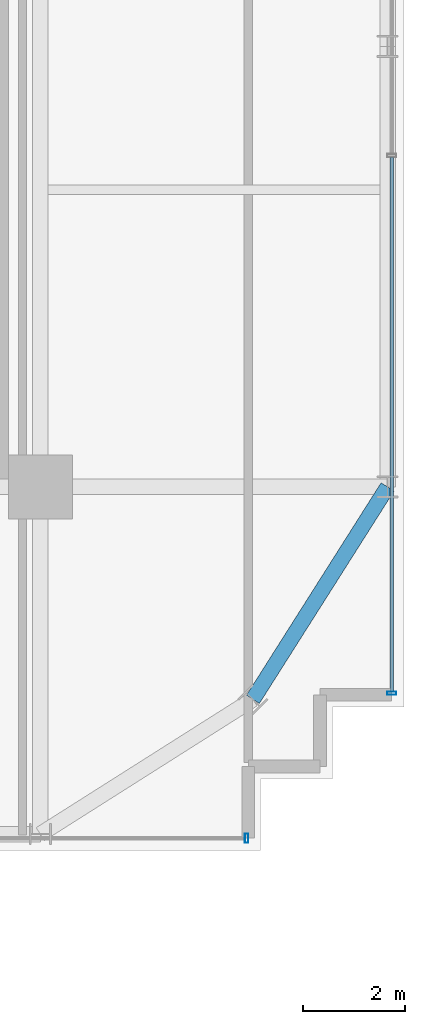
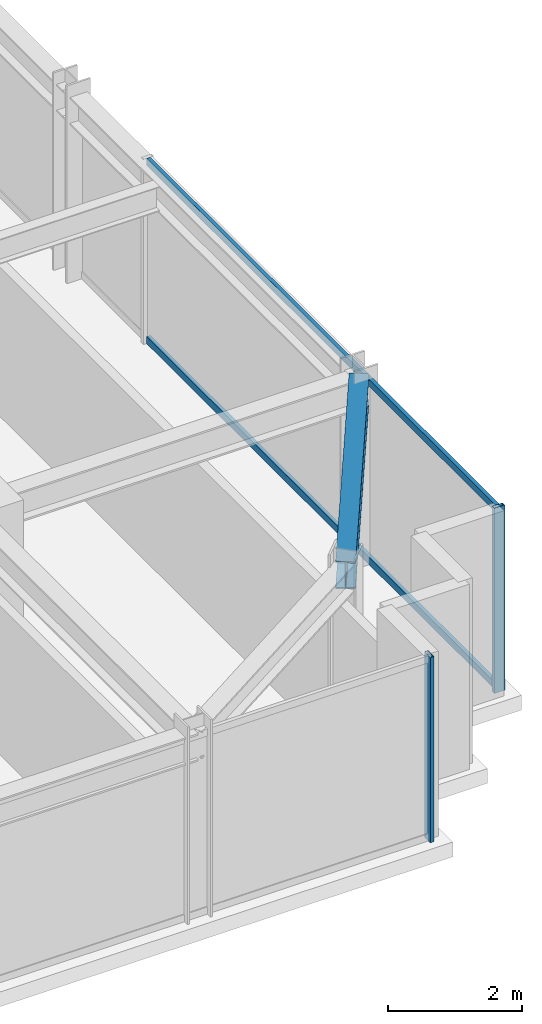
# One storey, part 13 of 32: 4 members, 1 beam, 2 elements without a shape of their own.
"""IFC4 building model written with IfcOpenShell, lengths in metres."""

import ifcopenshell
import ifcopenshell.guid

model = None  # the IFC model being written
_history = None  # IfcOwnerHistory: only IFC2X3 demands one
_inside = {}  # id of a spatial element -> (the spatial element, [elements in it])
_under = {}  # id of a project, library or spatial element -> (it, [spatial elements below it])
_declared = {}  # id of a project -> (the project, [libraries it declares])
_typed = {}  # id of a type object -> (the type object, [elements of that type])
_made_of = {}  # id of a material, layer set ... -> (it, [elements and type objects made of it])


def new_model(schema):
    """Start an empty IFC model of exactly this schema.

    Asked for "IFC4X3", IfcOpenShell would pick the latest addendum, in which some entities
    have other attributes; the version numbers below select the first issue.
    IFC2X3 requires an IfcOwnerHistory on every rooted entity: one is made here for all.
    """
    global model, _history
    if schema == "IFC4X3":
        model = ifcopenshell.file(schema_version=(4, 3, 0, 0))
    else:
        model = ifcopenshell.file(schema=schema)
    _inside.clear()
    _under.clear()
    _declared.clear()
    _typed.clear()
    _made_of.clear()
    _history = None
    if model.schema == "IFC2X3":
        org = make("IfcOrganization", Name="unknown")
        user = make(
            "IfcPersonAndOrganization",
            ThePerson=make("IfcPerson", FamilyName="unknown"),
            TheOrganization=org,
        )
        app = make(
            "IfcApplication",
            ApplicationDeveloper=org,
            Version="unknown",
            ApplicationFullName="unknown",
            ApplicationIdentifier="unknown",
        )
        _history = make(
            "IfcOwnerHistory",
            OwningUser=user,
            OwningApplication=app,
            ChangeAction="ADDED",
            CreationDate=0,
        )
    return model


def make(cls, **values):
    """One entity of the class cls with the attributes given. An attribute that is None is left unset."""
    return model.create_entity(
        cls, **{name: value for name, value in values.items() if value is not None}
    )


def rooted(cls, **values):
    """An entity with a GlobalId (a new one), such as an element, a storey or a relation."""
    return make(cls, GlobalId=ifcopenshell.guid.new(), OwnerHistory=_history, **values)


def si_unit(unit_type, name, prefix=None):
    """IfcSIUnit, for example si_unit("LENGTHUNIT", "METRE", prefix="MILLI")."""
    return make("IfcSIUnit", UnitType=unit_type, Prefix=prefix, Name=name)


def assignment(units):
    """IfcUnitAssignment: the units of a project."""
    return None if units is None else make("IfcUnitAssignment", Units=units)


def point(xyz):
    """IfcCartesianPoint."""
    return None if xyz is None else make("IfcCartesianPoint", Coordinates=xyz)


def direction(xyz):
    """IfcDirection."""
    return None if xyz is None else make("IfcDirection", DirectionRatios=xyz)


def frame(location, z_axis=None, x_axis=None):
    """IfcAxis2Placement3D, a coordinate frame: its origin and axes. An axis left out is left unset."""
    return make(
        "IfcAxis2Placement3D",
        Location=point(location),
        Axis=direction(z_axis),
        RefDirection=direction(x_axis),
    )


def frame_2d(location, x_axis=None):
    """IfcAxis2Placement2D, a coordinate frame in the plane: its origin and x axis."""
    return make(
        "IfcAxis2Placement2D", Location=point(location), RefDirection=direction(x_axis)
    )


def origin():
    """The frame at (0, 0, 0) with its axes left unset."""
    return frame((0.0, 0.0, 0.0))


def origin_2d():
    """The frame at (0, 0) in the plane with its x axis left unset."""
    return frame_2d((0.0, 0.0))


def place(relative_to, where):
    """IfcLocalPlacement: puts the frame where relative to a parent placement (None: the world)."""
    return make(
        "IfcLocalPlacement", PlacementRelTo=relative_to, RelativePlacement=where
    )


def context(
    kind, dimensions, precision=None, world=None, true_north=None, identifier=None
):
    """IfcGeometricRepresentationContext, for example the 3D "Model" context."""
    return make(
        "IfcGeometricRepresentationContext",
        ContextIdentifier=identifier,
        ContextType=kind,
        CoordinateSpaceDimension=dimensions,
        Precision=precision,
        WorldCoordinateSystem=world,
        TrueNorth=true_north,
    )


def subcontext(parent, identifier, kind, view, scale=None):
    """IfcGeometricRepresentationSubContext, for example "Body" below "Model"."""
    return make(
        "IfcGeometricRepresentationSubContext",
        ContextIdentifier=identifier,
        ContextType=kind,
        ParentContext=parent,
        TargetScale=scale,
        TargetView=view,
    )


def project(units=None, contexts=None):
    """IfcProject with its units and contexts."""
    return rooted(
        "IfcProject",
        Name="project",
        RepresentationContexts=contexts,
        UnitsInContext=assignment(units),
    )


def spatial(cls, under=None, at=None, **own):
    """A site, building, storey or space (cls), placed at a placement, below another one or the project."""
    s = rooted(cls, ObjectPlacement=at, **own)
    if under is not None:
        _under.setdefault(under.id(), (under, []))[1].append(s)
    return s


def profile(cls, at=None, kind="AREA", **sizes):
    """A parametric profile (cls). Its sizes go by their IFC names, for example OverallWidth=200.0."""
    return make(cls, ProfileType=kind, Position=at, **sizes)


def hollow_rectangle(**sizes):
    """IfcRectangleHollowProfileDef."""
    return profile("IfcRectangleHollowProfileDef", **sizes)


def i_section(**sizes):
    """IfcIShapeProfileDef."""
    return profile("IfcIShapeProfileDef", **sizes)


def extrude(swept, where, along, depth):
    """IfcExtrudedAreaSolid: the profile swept, set in the frame where, extruded along a direction by depth."""
    return make(
        "IfcExtrudedAreaSolid",
        SweptArea=swept,
        Position=where,
        ExtrudedDirection=direction(along),
        Depth=depth,
    )


def shape(context_of_items, identifier, shape_type, items):
    """IfcShapeRepresentation: the items that make up one representation, for example the "Body"."""
    return make(
        "IfcShapeRepresentation",
        ContextOfItems=context_of_items,
        RepresentationIdentifier=identifier,
        RepresentationType=shape_type,
        Items=items,
    )


def source(mapping_origin, context_of_items, identifier, shape_type, items):
    """IfcRepresentationMap: a shape defined once, which mapped items show again and again."""
    return make(
        "IfcRepresentationMap",
        MappingOrigin=mapping_origin,
        MappedRepresentation=shape(context_of_items, identifier, shape_type, items),
    )


def transform(
    local_origin,
    x_axis=None,
    y_axis=None,
    z_axis=None,
    scale=None,
    scale2=None,
    scale3=None,
    uniform=True,
):
    """IfcCartesianTransformationOperator3D, or its non-uniform kind. x_axis, y_axis, z_axis: its Axis1, 2, 3."""
    if uniform:
        return make(
            "IfcCartesianTransformationOperator3D",
            Axis1=direction(x_axis),
            Axis2=direction(y_axis),
            LocalOrigin=point(local_origin),
            Scale=scale,
            Axis3=direction(z_axis),
        )
    return make(
        "IfcCartesianTransformationOperator3DnonUniform",
        Axis1=direction(x_axis),
        Axis2=direction(y_axis),
        LocalOrigin=point(local_origin),
        Scale=scale,
        Axis3=direction(z_axis),
        Scale2=scale2,
        Scale3=scale3,
    )


def mapped(mapping_source, mapping_target):
    """IfcMappedItem: shows the shape of a source again, moved by a transform."""
    return make(
        "IfcMappedItem", MappingSource=mapping_source, MappingTarget=mapping_target
    )


def material(Name=None, Category=None):
    """IfcMaterial."""
    return make("IfcMaterial", Name=Name, Category=Category)


def material_profile(
    of_material, cross_section, Name=None, Category=None, Priority=None
):
    """IfcMaterialProfile: a cross section and its material."""
    return make(
        "IfcMaterialProfile",
        Name=Name,
        Material=of_material,
        Profile=cross_section,
        Priority=Priority,
        Category=Category,
    )


def profile_set(profiles, Name=None, composite=None):
    """IfcMaterialProfileSet."""
    return make(
        "IfcMaterialProfileSet",
        Name=Name,
        MaterialProfiles=profiles,
        CompositeProfile=composite,
    )


def made_of(thing, what):
    """Note that an element or type object is made of a material, layer set ...; save() writes the relation."""
    if what is not None:
        _made_of.setdefault(what.id(), (what, []))[1].append(thing)
    return thing


def type_object(cls, material=None, **own):
    """A type object (cls), such as IfcWallType, which elements share."""
    return made_of(rooted(cls, **own), material)


def element(
    cls,
    number,
    at=None,
    inside=None,
    cuts=None,
    type_object=None,
    material=None,
    context=None,
    identifier="Body",
    shape_type=None,
    held_by="IfcProductDefinitionShape",
    body=None,
    shapes=None,
    **own,
):
    """One element of the class cls, such as IfcWall. Its Tag is "e" and its number.

    at: its placement. inside: the storey or other place that contains it. cuts: it is an
    opening in that element (IfcRelVoidsElement). A single representation is given by context,
    identifier, shape_type and body (its items); several are given by shapes. held_by: the class
    of the entity that holds the representations. save() writes the other relations.
    """
    e = rooted(cls, Tag="e%d" % number, ObjectPlacement=at, **own)
    if body is not None:
        shapes = [shape(context, identifier, shape_type, body)]
    if shapes is not None:
        e.Representation = make(held_by, Representations=shapes)
    if inside is not None:
        _inside.setdefault(inside.id(), (inside, []))[1].append(e)
    if cuts is not None:
        rooted(
            "IfcRelVoidsElement", RelatingBuildingElement=cuts, RelatedOpeningElement=e
        )
    if type_object is not None:
        _typed.setdefault(type_object.id(), (type_object, []))[1].append(e)
    return made_of(e, material)


def aggregate(whole, parts):
    """IfcRelAggregates: a whole, such as a stair, and the parts it consists of."""
    return rooted("IfcRelAggregates", RelatingObject=whole, RelatedObjects=parts)


def save(model, path):
    """Write the relations noted so far, then the file.

    IfcRelAggregates (storeys below a building ...), IfcRelContainedInSpatialStructure (elements
    in a storey), IfcRelDefinesByType, IfcRelAssociatesMaterial and IfcRelDeclares: one each for
    every whole, place, type object, material and project.
    """
    for whole, parts in _under.values():
        aggregate(whole, parts)
    for where, things in _inside.values():
        rooted(
            "IfcRelContainedInSpatialStructure",
            RelatedElements=things,
            RelatingStructure=where,
        )
    for kind, things in _typed.values():
        rooted("IfcRelDefinesByType", RelatedObjects=things, RelatingType=kind)
    for what, things in _made_of.values():
        rooted("IfcRelAssociatesMaterial", RelatedObjects=things, RelatingMaterial=what)
    for by, libraries in _declared.values():
        rooted("IfcRelDeclares", RelatingContext=by, RelatedDefinitions=libraries)
    model.write(path)


model = new_model("IFC4")

# Units and contexts
model_context = context("Model", 3, precision=1e-05, world=origin(), true_north=direction((0.0, 1.0)))
body_context = subcontext(model_context, "Body", "Model", "MODEL_VIEW")
ifc_project = project(units=[si_unit("LENGTHUNIT", "METRE"), si_unit("AREAUNIT", "SQUARE_METRE"), si_unit("VOLUMEUNIT", "CUBIC_METRE"), si_unit("PLANEANGLEUNIT", "RADIAN"), si_unit("MASSUNIT", "GRAM", prefix="KILO")], contexts=[model_context])

# Site, building, storey
site_placement = place(None, origin())
site = spatial("IfcSite", under=ifc_project, at=site_placement, CompositionType="ELEMENT")
building_placement = place(site_placement, origin())
building = spatial("IfcBuilding", under=site, at=building_placement, Name="Nahalor Promenade Grand Hotel", CompositionType="ELEMENT")
storey_placement = place(building_placement, frame((0.0, 0.0, 110.199951171875)))
storey = spatial("IfcBuildingStorey", under=building, at=storey_placement, Name="L27", CompositionType="ELEMENT", Elevation=110.199951171875)

# Beam
ifc_material_1 = material(Name="Steel S355JR", Category="steel")
ifc_material_profile_1 = material_profile(ifc_material_1, i_section(OverallWidth=0.3, OverallDepth=0.5, WebThickness=0.0145, FlangeThickness=0.028, at=origin_2d()), Name="HEB 500")
ifc_profile_set_1 = profile_set([ifc_material_profile_1], Name="Steel S355JR")
beam_type = type_object("IfcBeamType", Name="Beam-Spandrel-HEB500", PredefinedType="SPANDREL", material=ifc_profile_set_1)
shared_shape_1 = source(origin(), body_context, "Body", "SweptSolid", [
    extrude(i_section(OverallWidth=0.3, OverallDepth=0.5, WebThickness=0.0145, FlangeThickness=0.028, at=origin_2d()), origin(), (0.0, 0.0, 1.0), 4.9130859375),
])
beam_placement = place(storey_placement, frame((21.14990234375, -21.14990234375, 3.130126953125), z_axis=(0.535321591403, 0.844648325505, 0.0), x_axis=(-0.844648325505, 0.535321591403, 0.0)))
element("IfcBeam", 1, at=beam_placement, inside=storey, type_object=beam_type, Name="BM-L27-SPC-SE-2", PredefinedType="SPANDREL", context=body_context, shape_type="MappedRepresentation", body=[
    mapped(shared_shape_1, transform((0.0, 0.0, 0.0), scale=1.0)),
])

# Curtain wall, members
ifc_material_2 = material(Name="Anodised Bronze Aluminium EN AW-6063 T6", Category="aluminium")
curtain_wall_type = type_object("IfcCurtainWallType", Name="CW2 Typical Hotel Flush Bronze Unitised Curtain Wall", PredefinedType="USERDEFINED", material=ifc_material_2)
curtain_wall_1_placement = place(storey_placement, origin())
curtain_wall_1 = element("IfcCurtainWall", 2, at=curtain_wall_1_placement, inside=storey, type_object=curtain_wall_type, Name="L27 Curtain Wall CW-L27-E-1", ObjectType="UNITISED_CURTAIN_WALL", PredefinedType="USERDEFINED")
ifc_material_profile_2 = material_profile(ifc_material_2, hollow_rectangle(XDim=0.065, YDim=0.13, WallThickness=0.004, at=origin_2d()), Name="CWT 65x130x4")
ifc_profile_set_2 = profile_set([ifc_material_profile_2], Name="Anodised Bronze Aluminium EN AW-6063 T6")
member_type_1 = type_object("IfcMemberType", Name="CWT2 Typical Bronze Transom 65x130", PredefinedType="USERDEFINED", material=ifc_profile_set_2)
shared_shape_2 = source(origin(), body_context, "Body", "SweptSolid", [
    extrude(hollow_rectangle(XDim=0.065, YDim=0.13, WallThickness=0.004, at=origin_2d()), origin(), (0.0, 0.0, 1.0), 10.4326171875),
])
member_1_placement = place(storey_placement, frame((23.860107421875, -20.9951171875, 0.06494140625), z_axis=(0.0, 1.0, 0.0), x_axis=(-1.0, 0.0, 0.0)))
member_1 = element("IfcMember", 3, at=member_1_placement, type_object=member_type_1, Name="CW-L27-E-1 Transom 0-0", ObjectType="TRANSOM", PredefinedType="USERDEFINED", context=body_context, shape_type="MappedRepresentation", body=[
    mapped(shared_shape_2, transform((0.0, 0.0, 0.0), scale=1.0)),
])
member_2_placement = place(storey_placement, frame((23.860107421875, -20.9951171875, 3.31494140625), z_axis=(0.0, 1.0, 0.0), x_axis=(-1.0, 0.0, 0.0)))
member_2 = element("IfcMember", 4, at=member_2_placement, type_object=member_type_1, Name="CW-L27-E-1 Transom 0-1", ObjectType="TRANSOM", PredefinedType="USERDEFINED", context=body_context, shape_type="MappedRepresentation", body=[
    mapped(shared_shape_2, transform((0.0, 0.0, 0.0), scale=1.0)),
])

# Curtain wall, member
curtain_wall_2_placement = place(storey_placement, origin())
curtain_wall_2 = element("IfcCurtainWall", 5, at=curtain_wall_2_placement, inside=storey, type_object=curtain_wall_type, Name="L27 Curtain Wall CW-L27-S-3", ObjectType="UNITISED_CURTAIN_WALL", PredefinedType="USERDEFINED")
ifc_material_profile_3 = material_profile(ifc_material_2, hollow_rectangle(XDim=0.065, YDim=0.18, WallThickness=0.004, at=origin_2d()), Name="CWM 65x180x4")
ifc_profile_set_3 = profile_set([ifc_material_profile_3], Name="Anodised Bronze Aluminium EN AW-6063 T6")
member_type_2 = type_object("IfcMemberType", Name="CWM2 Typical Bronze Mullion 65x180", PredefinedType="MULLION", material=ifc_profile_set_3)
shared_shape_3 = source(origin(), body_context, "Body", "SweptSolid", [
    extrude(hollow_rectangle(XDim=0.065, YDim=0.18, WallThickness=0.004, at=origin_2d()), origin(), (0.0, 0.0, 1.0), 3.380126953125),
])
member_3_placement = place(storey_placement, frame((21.027587890625, -23.860107421875, 0.0), z_axis=(0.0, 0.0, 1.0), x_axis=(1.0, 0.0, 0.0)))
member_3 = element("IfcMember", 6, at=member_3_placement, type_object=member_type_2, Name="CW-L27-S-3 Mullion 3", PredefinedType="MULLION", context=body_context, shape_type="MappedRepresentation", body=[
    mapped(shared_shape_3, transform((0.0, 0.0, 0.0), scale=1.0)),
])
aggregate(curtain_wall_2, [member_3])

# Member
member_4_placement = place(storey_placement, frame((23.860107421875, -21.027587890625, 0.0), z_axis=(0.0, 0.0, 1.0), x_axis=(0.0, 1.0, 0.0)))
member_4 = element("IfcMember", 7, at=member_4_placement, type_object=member_type_2, Name="CW-L27-E-1 Mullion 0", PredefinedType="MULLION", context=body_context, shape_type="MappedRepresentation", body=[
    mapped(shared_shape_3, transform((0.0, 0.0, 0.0), scale=1.0)),
])

aggregate(curtain_wall_1, [member_4, member_1, member_2])

save(model, "model.ifc")
